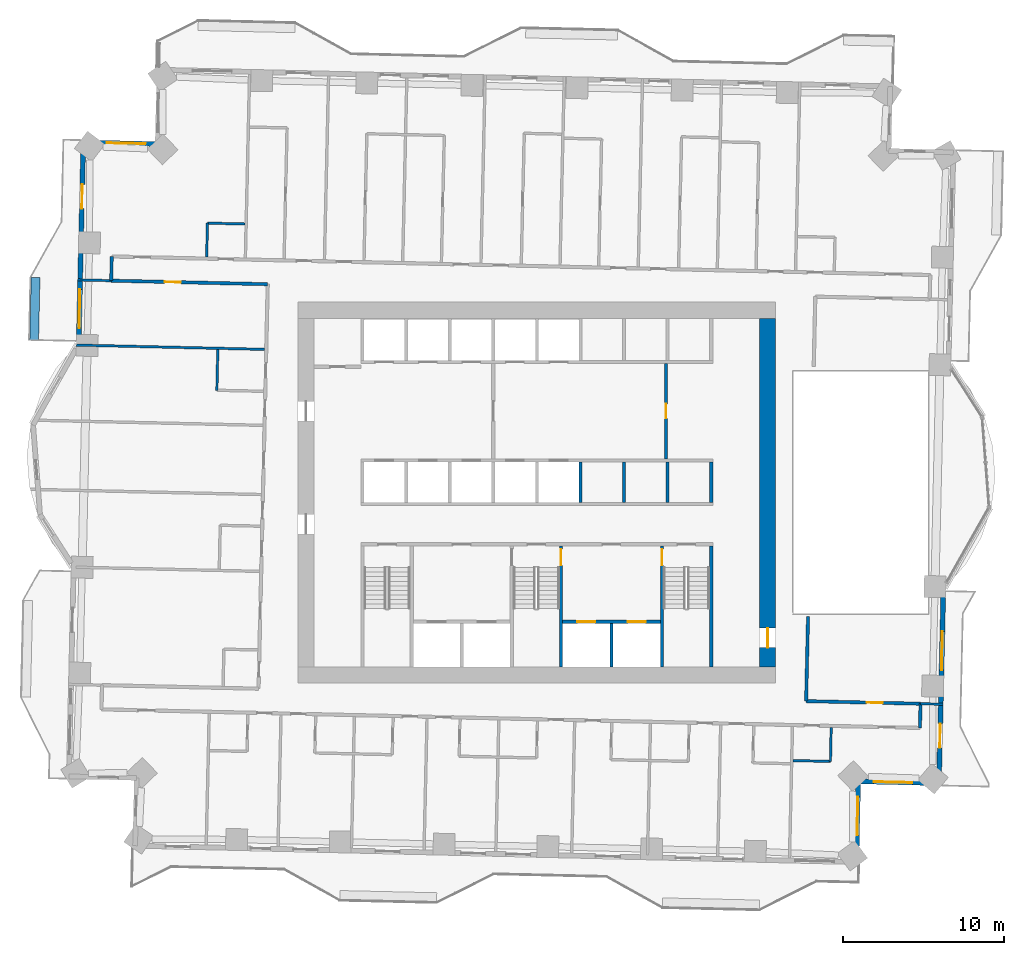
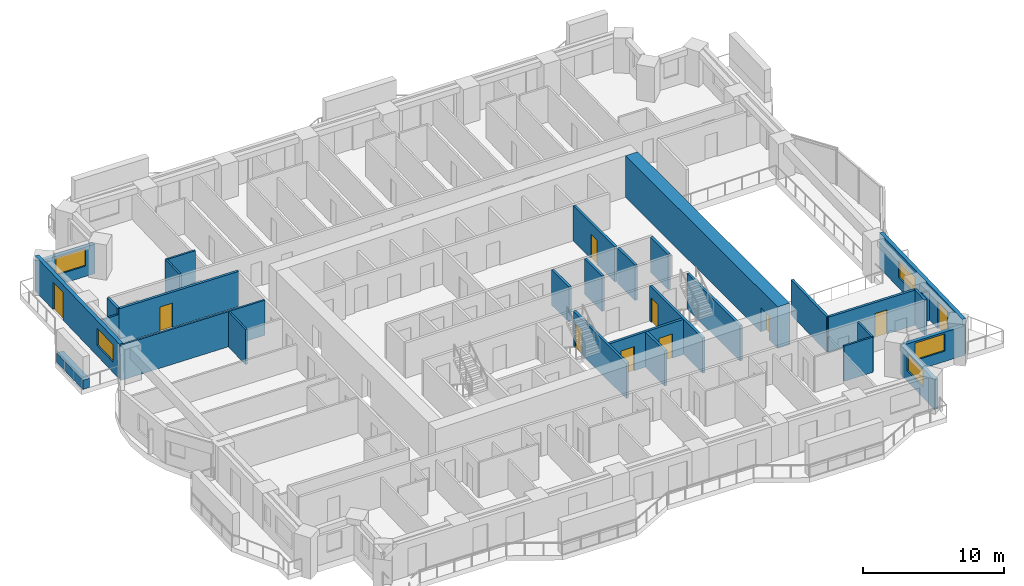
# One storey, part 9 of 16: 30 walls, 10 doors, 5 windows, 15 openings.
"""IFC4 building model written with IfcOpenShell, lengths in metres."""

from ifc_helpers import new_model, si_unit, direction, frame, frame_2d, origin, place, context, subcontext, project, spatial, rectangle, extrude, material, layer, layer_set, type_object, element, fill, save


model = new_model("IFC4")

# Units and contexts
model_context = context("Model", 3, precision=1e-05, world=origin(), true_north=direction((0.0, 1.0)))
body_context = subcontext(model_context, "Body", "Model", "MODEL_VIEW")
ifc_project = project(units=[si_unit("LENGTHUNIT", "METRE"), si_unit("AREAUNIT", "SQUARE_METRE"), si_unit("VOLUMEUNIT", "CUBIC_METRE"), si_unit("PLANEANGLEUNIT", "RADIAN"), si_unit("MASSUNIT", "GRAM", prefix="KILO")], contexts=[model_context])

# Site, building, storey
site_placement = place(None, origin())
site = spatial("IfcSite", under=ifc_project, at=site_placement, CompositionType="ELEMENT")
building_placement = place(site_placement, origin())
building = spatial("IfcBuilding", under=site, at=building_placement, Name="Mangrove Gate Tower", CompositionType="ELEMENT")
storey_placement = place(building_placement, frame((0.0, 0.0, 116.300048828125)))
storey = spatial("IfcBuildingStorey", under=building, at=storey_placement, Name="L29", CompositionType="ELEMENT", Elevation=116.300048828125)

# Wall, opening, door
ifc_material_1 = material(Name="Concrete C32/40", Category="concrete")
ifc_layer_1 = layer(ifc_material_1, 0.199951171875)
ifc_layer_set_1 = layer_set([ifc_layer_1], Name="Core lobby wall 200 C32/40")
wall_type_1 = type_object("IfcWallType", Name="Core lobby wall 200 C32/40", PredefinedType="STANDARD", material=ifc_layer_set_1)
wall_1_placement = place(storey_placement, frame((8.0, 2.10009765625, 0.0), z_axis=(0.0, 0.0, 1.0), x_axis=(0.0, 1.0, 0.0)))
wall_1 = element("IfcWall", 1, at=wall_1_placement, inside=storey, type_object=wall_type_1, Name="WALL-L29-CORE-39", PredefinedType="STANDARD", context=body_context, shape_type="SweptSolid", body=[
    extrude(rectangle(XDim=5.89990234375, YDim=0.199951171875, at=frame_2d((2.949951171875, 0.0))), origin(), (0.0, 0.0, 1.0), 3.050048828125),
])
opening_1_placement = place(wall_1_placement, frame((2.5, 0.0, 0.0)))
opening_1 = element("IfcOpeningElement", 2, at=opening_1_placement, cuts=wall_1, Name="Opening KD", PredefinedType="OPENING", context=body_context, shape_type="SweptSolid", body=[
    extrude(rectangle(XDim=0.89990234375, YDim=2.10009765625, at=frame_2d((0.449951171875, 1.050048828125))), frame((0.0, 0.10986328125, 0.0), z_axis=(0.0, -1.0, 0.0), x_axis=(1.0, 0.0, 0.0)), (0.0, 0.0, 1.0), 0.219970703125),
])
ifc_material_2 = material(Name="Fire-rated steel door set", Category="steel")
door_type_1 = type_object("IfcDoorType", Name="Core room door FD30S 900x2100", OperationType="SINGLE_SWING_RIGHT", PredefinedType="DOOR", material=ifc_material_2)
door_1_placement = place(opening_1_placement, origin())
door_1 = element("IfcDoor", 3, at=door_1_placement, inside=storey, type_object=door_type_1, Name="Core room door cleaner's store", OperationType="SINGLE_SWING_RIGHT", OverallHeight=2.10009765625, OverallWidth=0.89990234375, PredefinedType="DOOR", context=body_context, shape_type="SweptSolid", body=[
    extrude(rectangle(XDim=0.89990234375, YDim=2.10009765625, at=frame_2d((0.449951171875, 1.050048828125))), frame((0.0, 0.02490234375, 0.0), z_axis=(0.0, -1.0, 0.0), x_axis=(1.0, 0.0, 0.0)), (0.0, 0.0, 1.0), 0.050048828125),
])
fill(opening_1, door_1)

# Wall, openings, doors
ifc_material_3 = material(Name="Concrete C70/85", Category="concrete")
ifc_layer_2 = layer(ifc_material_3, 0.199951171875)
ifc_layer_set_2 = layer_set([ifc_layer_2], Name="Core shaft wall 200 C70/85")
wall_type_2 = type_object("IfcWallType", Name="Core shaft wall 200 C70/85", PredefinedType="SHEAR", material=ifc_layer_set_2)
wall_2_placement = place(storey_placement, frame((1.60009765625, -8.0, 0.0), z_axis=(0.0, 0.0, 1.0), x_axis=(1.0, 0.0, 0.0)))
wall_2 = element("IfcWall", 4, at=wall_2_placement, inside=storey, type_object=wall_type_2, Name="WALL-L29-CORE-17", PredefinedType="SHEAR", context=body_context, shape_type="SweptSolid", body=[
    extrude(rectangle(XDim=6.0498046875, YDim=0.199951171875, at=frame_2d((3.02490234375, 0.0))), origin(), (0.0, 0.0, 1.0), 3.050048828125),
])
opening_2_placement = place(wall_2_placement, frame((0.91259765625, 0.0, 0.0)))
opening_2 = element("IfcOpeningElement", 5, at=opening_2_placement, cuts=wall_2, Name="Opening LD", PredefinedType="OPENING", context=body_context, shape_type="SweptSolid", body=[
    extrude(rectangle(XDim=1.10009765625, YDim=2.10009765625, at=frame_2d((0.550048828125, 1.050048828125))), frame((0.0, 0.10986328125, 0.0), z_axis=(0.0, -1.0, 0.0), x_axis=(1.0, 0.0, 0.0)), (0.0, 0.0, 1.0), 0.219970703125),
])
opening_3_placement = place(wall_2_placement, frame((4.03759765625, 0.0, 0.0)))
opening_3 = element("IfcOpeningElement", 6, at=opening_3_placement, cuts=wall_2, Name="Opening LD", PredefinedType="OPENING", context=body_context, shape_type="SweptSolid", body=[
    extrude(rectangle(XDim=1.10009765625, YDim=2.10009765625, at=frame_2d((0.550048828125, 1.050048828125))), frame((0.0, 0.10986328125, 0.0), z_axis=(0.0, -1.0, 0.0), x_axis=(1.0, 0.0, 0.0)), (0.0, 0.0, 1.0), 0.219970703125),
])
ifc_material_4 = material(Name="Stainless steel 316", Category="steel")
door_type_2 = type_object("IfcDoorType", Name="Lift landing door 1100x2100", OperationType="SLIDING_TO_LEFT", PredefinedType="DOOR", material=ifc_material_4)
door_2_placement = place(opening_2_placement, origin())
door_2 = element("IfcDoor", 7, at=door_2_placement, inside=storey, type_object=door_type_2, Name="Landing door LD FFL1", OperationType="SLIDING_TO_LEFT", OverallHeight=2.10009765625, OverallWidth=1.10009765625, PredefinedType="DOOR", context=body_context, shape_type="SweptSolid", body=[
    extrude(rectangle(XDim=1.10009765625, YDim=2.10009765625, at=frame_2d((0.550048828125, 1.050048828125))), frame((0.0, 0.02490234375, 0.0), z_axis=(0.0, -1.0, 0.0), x_axis=(1.0, 0.0, 0.0)), (0.0, 0.0, 1.0), 0.050048828125),
])
fill(opening_2, door_2)
door_3_placement = place(opening_3_placement, origin())
door_3 = element("IfcDoor", 8, at=door_3_placement, inside=storey, type_object=door_type_2, Name="Landing door LD FFL2", OperationType="SLIDING_TO_LEFT", OverallHeight=2.10009765625, OverallWidth=1.10009765625, PredefinedType="DOOR", context=body_context, shape_type="SweptSolid", body=[
    extrude(rectangle(XDim=1.10009765625, YDim=2.10009765625, at=frame_2d((0.550048828125, 1.050048828125))), frame((0.0, 0.02490234375, 0.0), z_axis=(0.0, -1.0, 0.0), x_axis=(1.0, 0.0, 0.0)), (0.0, 0.0, 1.0), 0.050048828125),
])
fill(opening_3, door_3)

# Walls
wall_3_placement = place(storey_placement, frame((4.625, -10.800048828125, 0.0), z_axis=(0.0, 0.0, 1.0), x_axis=(0.0, 1.0, 0.0)))
element("IfcWall", 9, at=wall_3_placement, inside=storey, type_object=wall_type_2, Name="WALL-L29-CORE-18", PredefinedType="SHEAR", context=body_context, shape_type="SweptSolid", body=[
    extrude(rectangle(XDim=2.699951171875, YDim=0.199951171875, at=frame_2d((1.35009765625, 0.0))), origin(), (0.0, 0.0, 1.0), 3.050048828125),
])
for number, where, z_axis, x_axis, name in (
    (10, (2.699951171875, -0.60009765625, 0.0), (0.0, 0.0, 1.0), (0.0, 1.0, 0.0), "WALL-L29-CORE-24"),
    (11, (5.39990234375, -0.60009765625, 0.0), (0.0, 0.0, 1.0), (0.0, 1.0, 0.0), "WALL-L29-CORE-25"),
    (12, (8.10009765625, -0.60009765625, 0.0), (0.0, 0.0, 1.0), (0.0, 1.0, 0.0), "WALL-L29-CORE-26"),
    (13, (10.800048828125, -0.60009765625, 0.0), (0.0, 0.0, 1.0), (0.0, 1.0, 0.0), "WALL-L29-CORE-27"),
):
    element("IfcWall", number, at=place(storey_placement, frame(where, z_axis=z_axis, x_axis=x_axis)), inside=storey, type_object=wall_type_2, Name=name, PredefinedType="SHEAR", context=body_context, shape_type="SweptSolid", body=[
        extrude(rectangle(XDim=2.5, YDim=0.199951171875, at=frame_2d((1.25, 0.0))), origin(), (0.0, 0.0, 1.0), 3.050048828125),
    ])

# Wall, opening, door
ifc_material_5 = material(Name="Concrete C70/85", Category="concrete")
ifc_layer_3 = layer(ifc_material_5, 0.199951171875)
ifc_layer_set_3 = layer_set([ifc_layer_3], Name="Core stair wall 200 C70/85")
wall_type_3 = type_object("IfcWallType", Name="Core stair wall 200 C70/85", PredefinedType="SHEAR", material=ifc_layer_set_3)
wall_4_placement = place(storey_placement, frame((1.5, -10.800048828125, 0.0), z_axis=(0.0, 0.0, 1.0), x_axis=(0.0, 1.0, 0.0)))
wall_4 = element("IfcWall", 14, at=wall_4_placement, inside=storey, type_object=wall_type_3, Name="WALL-L29-CORE-12", PredefinedType="SHEAR", context=body_context, shape_type="SweptSolid", body=[
    extrude(rectangle(XDim=7.5, YDim=0.199951171875, at=frame_2d((3.75, 0.0))), origin(), (0.0, 0.0, 1.0), 3.050048828125),
])
opening_4_placement = place(wall_4_placement, frame((6.300048828125, 0.0, 0.0)))
opening_4 = element("IfcOpeningElement", 15, at=opening_4_placement, cuts=wall_4, Name="Opening STD10", PredefinedType="OPENING", context=body_context, shape_type="SweptSolid", body=[
    extrude(rectangle(XDim=1.0, YDim=2.10009765625, at=frame_2d((0.5, 1.050048828125))), frame((0.0, 0.10986328125, 0.0), z_axis=(0.0, -1.0, 0.0), x_axis=(1.0, 0.0, 0.0)), (0.0, 0.0, 1.0), 0.219970703125),
])
ifc_material_6 = material(Name="Fire-rated steel door set", Category="steel")
door_type_3 = type_object("IfcDoorType", Name="Stair door FD60 1000x2100", OperationType="SINGLE_SWING_RIGHT", PredefinedType="DOOR", material=ifc_material_6)
door_4_placement = place(opening_4_placement, origin())
door_4 = element("IfcDoor", 16, at=door_4_placement, inside=storey, type_object=door_type_3, Name="Stair door Stair 2 from fire-fighting lobby", OperationType="SINGLE_SWING_RIGHT", OverallHeight=2.10009765625, OverallWidth=1.0, PredefinedType="DOOR", context=body_context, shape_type="SweptSolid", body=[
    extrude(rectangle(XDim=1.0, YDim=2.10009765625, at=frame_2d((0.5, 1.050048828125))), frame((0.0, 0.02490234375, 0.0), z_axis=(0.0, -1.0, 0.0), x_axis=(1.0, 0.0, 0.0)), (0.0, 0.0, 1.0), 0.050048828125),
])
fill(opening_4, door_4)

wall_5_placement = place(storey_placement, frame((7.75, -10.800048828125, 0.0), z_axis=(0.0, 0.0, 1.0), x_axis=(0.0, 1.0, 0.0)))
wall_5 = element("IfcWall", 17, at=wall_5_placement, inside=storey, type_object=wall_type_3, Name="WALL-L29-CORE-13", PredefinedType="SHEAR", context=body_context, shape_type="SweptSolid", body=[
    extrude(rectangle(XDim=7.5, YDim=0.199951171875, at=frame_2d((3.75, 0.0))), origin(), (0.0, 0.0, 1.0), 3.050048828125),
])
opening_5_placement = place(wall_5_placement, frame((6.300048828125, 0.0, 0.0)))
opening_5 = element("IfcOpeningElement", 18, at=opening_5_placement, cuts=wall_5, Name="Opening STD10", PredefinedType="OPENING", context=body_context, shape_type="SweptSolid", body=[
    extrude(rectangle(XDim=1.0, YDim=2.10009765625, at=frame_2d((0.5, 1.050048828125))), frame((0.0, 0.10986328125, 0.0), z_axis=(0.0, -1.0, 0.0), x_axis=(1.0, 0.0, 0.0)), (0.0, 0.0, 1.0), 0.219970703125),
])
door_5_placement = place(opening_5_placement, origin())
door_5 = element("IfcDoor", 19, at=door_5_placement, inside=storey, type_object=door_type_3, Name="Stair door Stair 3 from fire-fighting lobby", OperationType="SINGLE_SWING_RIGHT", OverallHeight=2.10009765625, OverallWidth=1.0, PredefinedType="DOOR", context=body_context, shape_type="SweptSolid", body=[
    extrude(rectangle(XDim=1.0, YDim=2.10009765625, at=frame_2d((0.5, 1.050048828125))), frame((0.0, 0.02490234375, 0.0), z_axis=(0.0, -1.0, 0.0), x_axis=(1.0, 0.0, 0.0)), (0.0, 0.0, 1.0), 0.050048828125),
])
fill(opening_5, door_5)

# Wall
wall_6_placement = place(storey_placement, frame((10.800048828125, -10.800048828125, 0.0), z_axis=(0.0, 0.0, 1.0), x_axis=(0.0, 1.0, 0.0)))
element("IfcWall", 20, at=wall_6_placement, inside=storey, type_object=wall_type_3, Name="WALL-L29-CORE-14", PredefinedType="SHEAR", context=body_context, shape_type="SweptSolid", body=[
    extrude(rectangle(XDim=7.5, YDim=0.199951171875, at=frame_2d((3.75, 0.0))), origin(), (0.0, 0.0, 1.0), 3.050048828125),
])

# Wall, opening, door
ifc_material_7 = material(Name="Concrete C70/85", Category="concrete")
ifc_layer_4 = layer(ifc_material_7, 1.0)
ifc_layer_set_4 = layer_set([ifc_layer_4], Name="Core wall 1000 C70/85")
wall_type_4 = type_object("IfcWallType", Name="Core wall 1000 C70/85", PredefinedType="SHEAR", material=ifc_layer_set_4)
wall_7_placement = place(storey_placement, frame((14.300048828125, -10.800048828125, 0.0), z_axis=(0.0, 0.0, 1.0), x_axis=(0.0, 1.0, 0.0)))
wall_7 = element("IfcWall", 21, at=wall_7_placement, inside=storey, type_object=wall_type_4, Name="WALL-L29-CORE-4", PredefinedType="SHEAR", context=body_context, shape_type="SweptSolid", body=[
    extrude(rectangle(XDim=21.60009765625, YDim=1.0, at=frame_2d((10.800048828125, 0.0))), origin(), (0.0, 0.0, 1.0), 3.599853515625),
])
opening_6_placement = place(wall_7_placement, frame((1.199951171875, 0.0, 0.0)))
opening_6 = element("IfcOpeningElement", 22, at=opening_6_placement, cuts=wall_7, Name="Opening CD", PredefinedType="OPENING", context=body_context, shape_type="SweptSolid", body=[
    extrude(rectangle(XDim=1.199951171875, YDim=2.10009765625, at=frame_2d((0.60009765625, 1.050048828125))), frame((0.0, 0.510009765625, 0.0), z_axis=(0.0, -1.0, 0.0), x_axis=(1.0, 0.0, 0.0)), (0.0, 0.0, 1.0), 1.02001953125),
])
ifc_material_8 = material(Name="Fire-rated steel door set", Category="steel")
door_type_4 = type_object("IfcDoorType", Name="Core ring door FD60 1200x2100", OperationType="DOUBLE_DOOR_SINGLE_SWING", PredefinedType="DOOR", material=ifc_material_8)
door_6_placement = place(opening_6_placement, origin())
door_6 = element("IfcDoor", 23, at=door_6_placement, inside=storey, type_object=door_type_4, Name="Core ring door E1", OperationType="DOUBLE_DOOR_SINGLE_SWING", OverallHeight=2.10009765625, OverallWidth=1.199951171875, PredefinedType="DOOR", context=body_context, shape_type="SweptSolid", body=[
    extrude(rectangle(XDim=1.199951171875, YDim=2.10009765625, at=frame_2d((0.60009765625, 1.050048828125))), frame((0.0, 0.02490234375, 0.0), z_axis=(0.0, -1.0, 0.0), x_axis=(1.0, 0.0, 0.0)), (0.0, 0.0, 1.0), 0.050048828125),
])
fill(opening_6, door_6)

# Wall
ifc_material_9 = material(Name="Gypsum board on steel stud, EI 60", Category="steel")
ifc_layer_5 = layer(ifc_material_9, 0.199951171875)
ifc_layer_set_5 = layer_set([ifc_layer_5], Name="Corridor wall EI 60")
wall_type_5 = type_object("IfcWallType", Name="Corridor wall EI 60", PredefinedType="PARTITIONING", material=ifc_layer_set_5)
wall_8_placement = place(storey_placement, frame((23.738037109375, -14.5791015625, 0.0), z_axis=(0.0, 0.0, 1.0), x_axis=(0.022617910375, 0.999744182344, 0.0)))
element("IfcWall", 24, at=wall_8_placement, inside=storey, type_object=wall_type_5, Name="WALL-L29-027", PredefinedType="PARTITIONING", context=body_context, shape_type="SweptSolid", body=[
    extrude(rectangle(XDim=1.50048828125, YDim=0.199951171875, at=frame_2d((0.750244140625, 0.0))), origin(), (0.0, 0.0, 1.0), 3.050048828125),
])

# Wall, opening, door
wall_9_placement = place(storey_placement, frame((16.678955078125, -12.91796875, 0.0), z_axis=(0.0, 0.0, 1.0), x_axis=(0.999739218926, -0.02283624622, 0.0)))
wall_9 = element("IfcWall", 25, at=wall_9_placement, inside=storey, type_object=wall_type_5, Name="WALL-L29-032", PredefinedType="PARTITIONING", context=body_context, shape_type="SweptSolid", body=[
    extrude(rectangle(XDim=7.098876953125, YDim=0.199951171875, at=frame_2d((3.54931640625, 0.0))), origin(), (0.0, 0.0, 1.0), 3.050048828125),
])
opening_7_placement = place(wall_9_placement, frame((3.7490234375, 0.0, 0.0)))
opening_7 = element("IfcOpeningElement", 26, at=opening_7_placement, cuts=wall_9, Name="Opening AD", PredefinedType="OPENING", context=body_context, shape_type="SweptSolid", body=[
    extrude(rectangle(XDim=1.0, YDim=2.10009765625, at=frame_2d((0.5, 1.050048828125))), frame((0.0, 0.10986328125, 0.0), z_axis=(0.0, -1.0, 0.0), x_axis=(1.0, 0.0, 0.0)), (0.0, 0.0, 1.0), 0.219970703125),
])
ifc_material_10 = material(Name="Timber door leaf", Category="wood")
door_type_5 = type_object("IfcDoorType", Name="Amenity door 1000", OperationType="SINGLE_SWING_LEFT", PredefinedType="DOOR", material=ifc_material_10)
door_7_placement = place(opening_7_placement, origin())
door_7 = element("IfcDoor", 27, at=door_7_placement, inside=storey, type_object=door_type_5, Name="DOOR-L29-KIT-c3a", OperationType="SINGLE_SWING_LEFT", OverallHeight=2.10009765625, OverallWidth=1.0, PredefinedType="DOOR", context=body_context, shape_type="SweptSolid", body=[
    extrude(rectangle(XDim=1.0, YDim=2.10009765625, at=frame_2d((0.5, 1.050048828125))), frame((0.0, 0.02490234375, 0.0), z_axis=(0.0, -1.0, 0.0), x_axis=(1.0, 0.0, 0.0)), (0.0, 0.0, 1.0), 0.050048828125),
])
fill(opening_7, door_7)

# Wall
wall_10_placement = place(storey_placement, frame((16.68408203125, -12.9189453125, 0.0), z_axis=(0.0, 0.0, 1.0), x_axis=(0.022667483124, 0.999743059595, 0.0)))
element("IfcWall", 28, at=wall_10_placement, inside=storey, type_object=wall_type_5, Name="WALL-L29-033", PredefinedType="PARTITIONING", context=body_context, shape_type="SweptSolid", body=[
    extrude(rectangle(XDim=5.245361328125, YDim=0.199951171875, at=frame_2d((2.62255859375, 0.0))), origin(), (0.0, 0.0, 1.0), 3.050048828125),
])

# Wall, opening, door
wall_11_placement = place(storey_placement, frame((-26.375, 13.135009765625, 0.0), z_axis=(0.0, 0.0, 1.0), x_axis=(0.999742757425, -0.022680806356, 0.0)))
wall_11 = element("IfcWall", 29, at=wall_11_placement, inside=storey, type_object=wall_type_5, Name="WALL-L29-046", PredefinedType="PARTITIONING", context=body_context, shape_type="SweptSolid", body=[
    extrude(rectangle(XDim=9.698486328125, YDim=0.199951171875, at=frame_2d((4.84912109375, 0.0))), origin(), (0.0, 0.0, 1.0), 3.050048828125),
])
opening_8_placement = place(wall_11_placement, frame((3.31201171875, 0.0, 0.0)))
opening_8 = element("IfcOpeningElement", 30, at=opening_8_placement, cuts=wall_11, Name="Opening AD", PredefinedType="OPENING", context=body_context, shape_type="SweptSolid", body=[
    extrude(rectangle(XDim=1.0, YDim=2.10009765625, at=frame_2d((0.5, 1.050048828125))), frame((0.0, 0.10986328125, 0.0), z_axis=(0.0, -1.0, 0.0), x_axis=(1.0, 0.0, 0.0)), (0.0, 0.0, 1.0), 0.219970703125),
])
door_8_placement = place(opening_8_placement, origin())
door_8 = element("IfcDoor", 31, at=door_8_placement, inside=storey, type_object=door_type_5, Name="DOOR-L29-GAM-c5a", OperationType="SINGLE_SWING_LEFT", OverallHeight=2.10009765625, OverallWidth=1.0, PredefinedType="DOOR", context=body_context, shape_type="SweptSolid", body=[
    extrude(rectangle(XDim=1.0, YDim=2.10009765625, at=frame_2d((0.5, 1.050048828125))), frame((0.0, 0.02490234375, 0.0), z_axis=(0.0, -1.0, 0.0), x_axis=(1.0, 0.0, 0.0)), (0.0, 0.0, 1.0), 0.050048828125),
])
fill(opening_8, door_8)

# Wall
wall_12_placement = place(storey_placement, frame((-26.3759765625, 13.138916015625, 0.0), z_axis=(0.0, 0.0, 1.0), x_axis=(0.022617910375, 0.999744182344, 0.0)))
element("IfcWall", 32, at=wall_12_placement, inside=storey, type_object=wall_type_5, Name="WALL-L29-049", PredefinedType="PARTITIONING", context=body_context, shape_type="SweptSolid", body=[
    extrude(rectangle(XDim=1.50048828125, YDim=0.199951171875, at=frame_2d((0.750244140625, 0.0))), origin(), (0.0, 0.0, 1.0), 3.050048828125),
])

# Wall, openings, door, window
ifc_material_11 = material(Name="Limestone", Category="masonry")
ifc_layer_6 = layer(ifc_material_11, 0.0400390625, Name="Limestone cladding")
ifc_material_12 = material(Name="Ventilated air gap")
ifc_layer_7 = layer(ifc_material_12, 0.0400390625, Name="Ventilated cavity")
ifc_material_13 = material(Name="Mineral wool insulation")
ifc_layer_8 = layer(ifc_material_13, 0.06005859375, Name="Insulation")
ifc_material_14 = material(Name="Breather membrane")
ifc_layer_9 = layer(ifc_material_14, 0.001953125, Name="Breather membrane")
ifc_material_15 = material(Name="Concrete C20/25 blockwork", Category="masonry")
ifc_layer_10 = layer(ifc_material_15, 0.14990234375, Name="Blockwork backing wall")
ifc_material_16 = material(Name="Gypsum plaster")
ifc_layer_11 = layer(ifc_material_16, 0.008056640625, Name="Internal plaster")
ifc_layer_set_6 = layer_set([ifc_layer_6, ifc_layer_7, ifc_layer_8, ifc_layer_9, ifc_layer_10, ifc_layer_11], Name="External wall 300 limestone cladding")
wall_type_6 = type_object("IfcWallType", Name="External wall 300 limestone cladding", PredefinedType="SOLIDWALL", material=ifc_layer_set_6)
wall_13_placement = place(storey_placement, frame((24.9150390625, -18.007080078125, 0.0), z_axis=(0.0, 0.0, 1.0), x_axis=(0.02263706344, 0.999743748847, 0.0)))
wall_13 = element("IfcWall", 33, at=wall_13_placement, inside=storey, type_object=wall_type_6, Name="WALL-L29-E0", PredefinedType="SOLIDWALL", context=body_context, shape_type="SweptSolid", body=[
    extrude(rectangle(XDim=12.230224609375, YDim=0.300048828125, at=frame_2d((6.115234375, 0.0))), origin(), (0.0, 0.0, 1.0), 3.050048828125),
])
opening_9_placement = place(wall_13_placement, frame((2.18701171875, 0.0, 0.0)))
opening_9 = element("IfcOpeningElement", 34, at=opening_9_placement, cuts=wall_13, Name="Opening BD1", PredefinedType="OPENING", context=body_context, shape_type="SweptSolid", body=[
    extrude(rectangle(XDim=1.5, YDim=2.39990234375, at=frame_2d((0.75, 1.199951171875))), frame((0.0, 0.159912109375, 0.0), z_axis=(0.0, -1.0, 0.0), x_axis=(1.0, 0.0, 0.0)), (0.0, 0.0, 1.0), 0.320068359375),
])
opening_10_placement = place(wall_13_placement, frame((7.013916015625, 0.0, 0.89990234375)))
opening_10 = element("IfcOpeningElement", 35, at=opening_10_placement, cuts=wall_13, Name="Opening W2", PredefinedType="OPENING", context=body_context, shape_type="SweptSolid", body=[
    extrude(rectangle(XDim=2.39990234375, YDim=1.5, at=frame_2d((1.199951171875, 0.75))), frame((0.0, 0.159912109375, 0.0), z_axis=(0.0, -1.0, 0.0), x_axis=(1.0, 0.0, 0.0)), (0.0, 0.0, 1.0), 0.320068359375),
])
ifc_material_17 = material(Name="Aluminium frame with laminated clear glass", Category="aluminium")
door_type_6 = type_object("IfcDoorType", Name="Balcony sliding door 1500x2400", OperationType="SLIDING_TO_LEFT", PredefinedType="DOOR", material=ifc_material_17)
door_9_placement = place(opening_9_placement, origin())
door_9 = element("IfcDoor", 36, at=door_9_placement, inside=storey, type_object=door_type_6, Name="DOOR-L29-E0-1", OperationType="SLIDING_TO_LEFT", OverallHeight=2.39990234375, OverallWidth=1.5, PredefinedType="DOOR", context=body_context, shape_type="SweptSolid", body=[
    extrude(rectangle(XDim=1.5, YDim=2.39990234375, at=frame_2d((0.75, 1.199951171875))), frame((0.0, 0.02490234375, 0.0), z_axis=(0.0, -1.0, 0.0), x_axis=(1.0, 0.0, 0.0)), (0.0, 0.0, 1.0), 0.050048828125),
])
fill(opening_9, door_9)
ifc_material_18 = material(Name="Aluminium frame with double-glazed low-e glass", Category="aluminium")
window_type = type_object("IfcWindowType", Name="Corner room window 2400x1500", PartitioningType="DOUBLE_PANEL_VERTICAL", PredefinedType="WINDOW", material=ifc_material_18)
window_1_placement = place(opening_10_placement, origin())
window_1 = element("IfcWindow", 37, at=window_1_placement, inside=storey, type_object=window_type, Name="WIN-L29-E0-2", OverallHeight=1.5, OverallWidth=2.39990234375, PartitioningType="DOUBLE_PANEL_VERTICAL", PredefinedType="WINDOW", context=body_context, shape_type="SweptSolid", body=[
    extrude(rectangle(XDim=2.39990234375, YDim=1.5, at=frame_2d((1.199951171875, 0.75))), frame((0.0, 0.030029296875, 0.0), z_axis=(0.0, -1.0, 0.0), x_axis=(1.0, 0.0, 0.0)), (0.0, 0.0, 1.0), 0.06005859375),
])
fill(opening_10, window_1)

# Wall, opening, window
wall_14_placement = place(storey_placement, frame((-23.507080078125, 21.60205078125, 0.0), z_axis=(0.0, 0.0, 1.0), x_axis=(-0.999739556364, 0.022821468877, 0.0)))
wall_14 = element("IfcWall", 38, at=wall_14_placement, inside=storey, type_object=wall_type_6, Name="WALL-L29-N7", PredefinedType="SOLIDWALL", context=body_context, shape_type="SweptSolid", body=[
    extrude(rectangle(XDim=4.60009765625, YDim=0.300048828125, at=frame_2d((2.300048828125, 0.0))), origin(), (0.0, 0.0, 1.0), 2.550048828125),
])
opening_11_placement = place(wall_14_placement, frame((0.743896484375, 0.0, 0.89990234375)))
opening_11 = element("IfcOpeningElement", 39, at=opening_11_placement, cuts=wall_14, Name="Opening W2", PredefinedType="OPENING", context=body_context, shape_type="SweptSolid", body=[
    extrude(rectangle(XDim=2.39990234375, YDim=1.5, at=frame_2d((1.199951171875, 0.75))), frame((0.0, 0.159912109375, 0.0), z_axis=(0.0, -1.0, 0.0), x_axis=(1.0, 0.0, 0.0)), (0.0, 0.0, 1.0), 0.320068359375),
])
window_2_placement = place(opening_11_placement, origin())
window_2 = element("IfcWindow", 40, at=window_2_placement, inside=storey, type_object=window_type, Name="WIN-L29-N7-1", OverallHeight=1.5, OverallWidth=2.39990234375, PartitioningType="DOUBLE_PANEL_VERTICAL", PredefinedType="WINDOW", context=body_context, shape_type="SweptSolid", body=[
    extrude(rectangle(XDim=2.39990234375, YDim=1.5, at=frame_2d((1.199951171875, 0.75))), frame((0.0, 0.030029296875, 0.0), z_axis=(0.0, -1.0, 0.0), x_axis=(1.0, 0.0, 0.0)), (0.0, 0.0, 1.0), 0.06005859375),
])
fill(opening_11, window_2)

# Wall, openings, door, window
wall_15_placement = place(storey_placement, frame((-28.10595703125, 21.70703125, 0.0), z_axis=(0.0, 0.0, 1.0), x_axis=(-0.022654663697, -0.999743350172, 0.0)))
wall_15 = element("IfcWall", 41, at=wall_15_placement, inside=storey, type_object=wall_type_6, Name="WALL-L29-W8", PredefinedType="SOLIDWALL", context=body_context, shape_type="SweptSolid", body=[
    extrude(rectangle(XDim=12.630126953125, YDim=0.300048828125, at=frame_2d((6.31494140625, 0.0))), origin(), (0.0, 0.0, 1.0), 3.050048828125),
])
opening_12_placement = place(wall_15_placement, frame((2.613037109375, 0.0, 0.0)))
opening_12 = element("IfcOpeningElement", 42, at=opening_12_placement, cuts=wall_15, Name="Opening BD1", PredefinedType="OPENING", context=body_context, shape_type="SweptSolid", body=[
    extrude(rectangle(XDim=1.5, YDim=2.39990234375, at=frame_2d((0.75, 1.199951171875))), frame((0.0, 0.159912109375, 0.0), z_axis=(0.0, -1.0, 0.0), x_axis=(1.0, 0.0, 0.0)), (0.0, 0.0, 1.0), 0.320068359375),
])
opening_13_placement = place(wall_15_placement, frame((9.113037109375, 0.0, 0.89990234375)))
opening_13 = element("IfcOpeningElement", 43, at=opening_13_placement, cuts=wall_15, Name="Opening W2", PredefinedType="OPENING", context=body_context, shape_type="SweptSolid", body=[
    extrude(rectangle(XDim=2.39990234375, YDim=1.5, at=frame_2d((1.199951171875, 0.75))), frame((0.0, 0.159912109375, 0.0), z_axis=(0.0, -1.0, 0.0), x_axis=(1.0, 0.0, 0.0)), (0.0, 0.0, 1.0), 0.320068359375),
])
door_10_placement = place(opening_12_placement, origin())
door_10 = element("IfcDoor", 44, at=door_10_placement, inside=storey, type_object=door_type_6, Name="DOOR-L29-W8-1", OperationType="SLIDING_TO_LEFT", OverallHeight=2.39990234375, OverallWidth=1.5, PredefinedType="DOOR", context=body_context, shape_type="SweptSolid", body=[
    extrude(rectangle(XDim=1.5, YDim=2.39990234375, at=frame_2d((0.75, 1.199951171875))), frame((0.0, 0.02490234375, 0.0), z_axis=(0.0, -1.0, 0.0), x_axis=(1.0, 0.0, 0.0)), (0.0, 0.0, 1.0), 0.050048828125),
])
fill(opening_12, door_10)
window_3_placement = place(opening_13_placement, origin())
window_3 = element("IfcWindow", 45, at=window_3_placement, inside=storey, type_object=window_type, Name="WIN-L29-W8-2", OverallHeight=1.5, OverallWidth=2.39990234375, PartitioningType="DOUBLE_PANEL_VERTICAL", PredefinedType="WINDOW", context=body_context, shape_type="SweptSolid", body=[
    extrude(rectangle(XDim=2.39990234375, YDim=1.5, at=frame_2d((1.199951171875, 0.75))), frame((0.0, 0.030029296875, 0.0), z_axis=(0.0, -1.0, 0.0), x_axis=(1.0, 0.0, 0.0)), (0.0, 0.0, 1.0), 0.06005859375),
])
fill(opening_13, window_3)

# Wall, opening, window
wall_16_placement = place(storey_placement, frame((19.802978515625, -22.89208984375, 0.0), z_axis=(0.0, 0.0, 1.0), x_axis=(0.022606059803, 0.999744450377, 0.0)))
wall_16 = element("IfcWall", 46, at=wall_16_placement, inside=storey, type_object=wall_type_6, Name="WALL-L29-E14", PredefinedType="SOLIDWALL", context=body_context, shape_type="SweptSolid", body=[
    extrude(rectangle(XDim=5.000244140625, YDim=0.300048828125, at=frame_2d((2.5, 0.0))), origin(), (0.0, 0.0, 1.0), 2.550048828125),
])
opening_14_placement = place(wall_16_placement, frame((1.65087890625, 0.0, 0.89990234375)))
opening_14 = element("IfcOpeningElement", 47, at=opening_14_placement, cuts=wall_16, Name="Opening W2", PredefinedType="OPENING", context=body_context, shape_type="SweptSolid", body=[
    extrude(rectangle(XDim=2.39990234375, YDim=1.5, at=frame_2d((1.199951171875, 0.75))), frame((0.0, 0.159912109375, 0.0), z_axis=(0.0, -1.0, 0.0), x_axis=(1.0, 0.0, 0.0)), (0.0, 0.0, 1.0), 0.320068359375),
])
window_4_placement = place(opening_14_placement, origin())
window_4 = element("IfcWindow", 48, at=window_4_placement, inside=storey, type_object=window_type, Name="WIN-L29-E14-1", OverallHeight=1.5, OverallWidth=2.39990234375, PartitioningType="DOUBLE_PANEL_VERTICAL", PredefinedType="WINDOW", context=body_context, shape_type="SweptSolid", body=[
    extrude(rectangle(XDim=2.39990234375, YDim=1.5, at=frame_2d((1.199951171875, 0.75))), frame((0.0, 0.030029296875, 0.0), z_axis=(0.0, -1.0, 0.0), x_axis=(1.0, 0.0, 0.0)), (0.0, 0.0, 1.0), 0.06005859375),
])
fill(opening_14, window_4)

wall_17_placement = place(storey_placement, frame((19.916015625, -17.89306640625, 0.0), z_axis=(0.0, 0.0, 1.0), x_axis=(0.999740017489, -0.022801259434, 0.0)))
wall_17 = element("IfcWall", 49, at=wall_17_placement, inside=storey, type_object=wall_type_6, Name="WALL-L29-S15", PredefinedType="SOLIDWALL", context=body_context, shape_type="SweptSolid", body=[
    extrude(rectangle(XDim=5.000244140625, YDim=0.300048828125, at=frame_2d((2.5, 0.0))), origin(), (0.0, 0.0, 1.0), 2.550048828125),
])
opening_15_placement = place(wall_17_placement, frame((0.951904296875, 0.0, 0.89990234375)))
opening_15 = element("IfcOpeningElement", 50, at=opening_15_placement, cuts=wall_17, Name="Opening W2", PredefinedType="OPENING", context=body_context, shape_type="SweptSolid", body=[
    extrude(rectangle(XDim=2.39990234375, YDim=1.5, at=frame_2d((1.199951171875, 0.75))), frame((0.0, 0.159912109375, 0.0), z_axis=(0.0, -1.0, 0.0), x_axis=(1.0, 0.0, 0.0)), (0.0, 0.0, 1.0), 0.320068359375),
])
window_5_placement = place(opening_15_placement, origin())
window_5 = element("IfcWindow", 51, at=window_5_placement, inside=storey, type_object=window_type, Name="WIN-L29-S15-1", OverallHeight=1.5, OverallWidth=2.39990234375, PartitioningType="DOUBLE_PANEL_VERTICAL", PredefinedType="WINDOW", context=body_context, shape_type="SweptSolid", body=[
    extrude(rectangle(XDim=2.39990234375, YDim=1.5, at=frame_2d((1.199951171875, 0.75))), frame((0.0, 0.030029296875, 0.0), z_axis=(0.0, -1.0, 0.0), x_axis=(1.0, 0.0, 0.0)), (0.0, 0.0, 1.0), 0.06005859375),
])
fill(opening_15, window_5)

# Walls
ifc_material_19 = material(Name="Gypsum board on steel stud, EI 60", Category="steel")
ifc_layer_12 = layer(ifc_material_19, 0.14990234375)
ifc_layer_set_7 = layer_set([ifc_layer_12], Name="Party wall 150 EI 60")
wall_type_7 = type_object("IfcWallType", Name="Party wall 150 EI 60", PredefinedType="PARTITIONING", material=ifc_layer_set_7)
wall_18_placement = place(storey_placement, frame((15.861083984375, -16.60107421875, 0.0), z_axis=(0.0, 0.0, 1.0), x_axis=(0.999740478815, -0.022781023197, 0.0)))
element("IfcWall", 52, at=wall_18_placement, inside=storey, type_object=wall_type_7, Name="WALL-L29-023", PredefinedType="PARTITIONING", context=body_context, shape_type="SweptSolid", body=[
    extrude(rectangle(XDim=2.325439453125, YDim=0.14990234375, at=frame_2d((1.16259765625, 0.0))), origin(), (0.0, 0.0, 1.0), 3.050048828125),
])
wall_19_placement = place(storey_placement, frame((18.18994140625, -16.654052734375, 0.0), z_axis=(0.0, 0.0, 1.0), x_axis=(0.022430997437, 0.999748393524, 0.0)))
element("IfcWall", 53, at=wall_19_placement, inside=storey, type_object=wall_type_7, Name="WALL-L29-024", PredefinedType="PARTITIONING", context=body_context, shape_type="SweptSolid", body=[
    extrude(rectangle(XDim=2.1005859375, YDim=0.14990234375, at=frame_2d((1.05029296875, 0.0))), origin(), (0.0, 0.0, 1.0), 3.050048828125),
])
wall_20_placement = place(storey_placement, frame((23.77197265625, -13.0791015625, 0.0), z_axis=(0.0, 0.0, 1.0), x_axis=(0.999740667531, -0.022772739949, 0.0)))
element("IfcWall", 54, at=wall_20_placement, inside=storey, type_object=wall_type_7, Name="WALL-L29-034", PredefinedType="PARTITIONING", context=body_context, shape_type="SweptSolid", body=[
    extrude(rectangle(XDim=1.404296875, YDim=0.14990234375, at=frame_2d((0.7021484375, 0.0))), origin(), (0.0, 0.0, 1.0), 2.550048828125),
])
wall_21_placement = place(storey_placement, frame((-19.827880859375, 6.340087890625, 0.0), z_axis=(0.0, 0.0, 1.0), x_axis=(0.022532486354, 0.9997461113, 0.0)))
element("IfcWall", 55, at=wall_21_placement, inside=storey, type_object=wall_type_7, Name="WALL-L29-041", PredefinedType="PARTITIONING", context=body_context, shape_type="SweptSolid", body=[
    extrude(rectangle(XDim=2.524658203125, YDim=0.14990234375, at=frame_2d((1.26220703125, 0.0))), origin(), (0.0, 0.0, 1.0), 3.050048828125),
])
wall_22_placement = place(storey_placement, frame((-28.541015625, 9.14306640625, 0.0), z_axis=(0.0, 0.0, 1.0), x_axis=(0.999742008279, -0.022713803786, 0.0)))
element("IfcWall", 56, at=wall_22_placement, inside=storey, type_object=wall_type_7, Name="WALL-L29-044", PredefinedType="PARTITIONING", context=body_context, shape_type="SweptSolid", body=[
    extrude(rectangle(XDim=11.6728515625, YDim=0.14990234375, at=frame_2d((5.83642578125, 0.0))), origin(), (0.0, 0.0, 1.0), 3.050048828125),
])
wall_23_placement = place(storey_placement, frame((-28.448974609375, 13.181884765625, 0.0), z_axis=(0.0, 0.0, 1.0), x_axis=(0.999745641909, -0.022553303166, 0.0)))
element("IfcWall", 57, at=wall_23_placement, inside=storey, type_object=wall_type_7, Name="WALL-L29-045", PredefinedType="PARTITIONING", context=body_context, shape_type="SweptSolid", body=[
    extrude(rectangle(XDim=2.078369140625, YDim=0.14990234375, at=frame_2d((1.0390625, 0.0))), origin(), (0.0, 0.0, 1.0), 2.550048828125),
])
wall_24_placement = place(storey_placement, frame((-20.4609375, 14.60498046875, 0.0), z_axis=(0.0, 0.0, 1.0), x_axis=(0.022779486249, 0.999740513837, 0.0)))
element("IfcWall", 58, at=wall_24_placement, inside=storey, type_object=wall_type_7, Name="WALL-L29-052", PredefinedType="PARTITIONING", context=body_context, shape_type="SweptSolid", body=[
    extrude(rectangle(XDim=2.1005859375, YDim=0.14990234375, at=frame_2d((1.05029296875, 0.0))), origin(), (0.0, 0.0, 1.0), 3.050048828125),
])
wall_25_placement = place(storey_placement, frame((-20.4169921875, 16.700927734375, 0.0), z_axis=(0.0, 0.0, 1.0), x_axis=(0.999740260747, -0.02279059109, 0.0)))
element("IfcWall", 59, at=wall_25_placement, inside=storey, type_object=wall_type_7, Name="WALL-L29-069", PredefinedType="PARTITIONING", context=body_context, shape_type="SweptSolid", body=[
    extrude(rectangle(XDim=2.324462890625, YDim=0.14990234375, at=frame_2d((1.162109375, 0.0))), origin(), (0.0, 0.0, 1.0), 3.050048828125),
])
ifc_material_20 = material(Name="Concrete C32/40", Category="concrete")
ifc_layer_13 = layer(ifc_material_20, 0.199951171875, Name="Planter trough wall")
ifc_material_21 = material(Name="Bituminous waterproofing membrane")
ifc_layer_14 = layer(ifc_material_21, 0.0048828125, Name="Waterproofing")
ifc_material_22 = material(Name="Drainage board and gravel")
ifc_layer_15 = layer(ifc_material_22, 0.044921875, Name="Drainage layer")
ifc_material_23 = material(Name="Planting soil")
ifc_layer_16 = layer(ifc_material_23, 0.300048828125, Name="Growing medium")
ifc_layer_set_8 = layer_set([ifc_layer_13, ifc_layer_14, ifc_layer_15, ifc_layer_16], Name="Planter wall 550 C32/40")
wall_type_8 = type_object("IfcWallType", Name="Planter wall 550 C32/40", PredefinedType="USERDEFINED", material=ifc_layer_set_8)
wall_26_placement = place(storey_placement, frame((-31.14990234375, 9.447998046875, 0.0), z_axis=(0.0, 0.0, 1.0), x_axis=(0.022681332769, 0.999742745482, 0.0)))
element("IfcWall", 60, at=wall_26_placement, inside=storey, type_object=wall_type_8, Name="PLANTER L29 W0.1", ObjectType="PLANTER", PredefinedType="USERDEFINED", context=body_context, shape_type="SweptSolid", body=[
    extrude(rectangle(XDim=3.875, YDim=0.550048828125, at=frame_2d((1.9375, 0.0))), origin(), (0.0, 0.0, 1.0), 0.800048828125),
])

save(model, "model.ifc")
